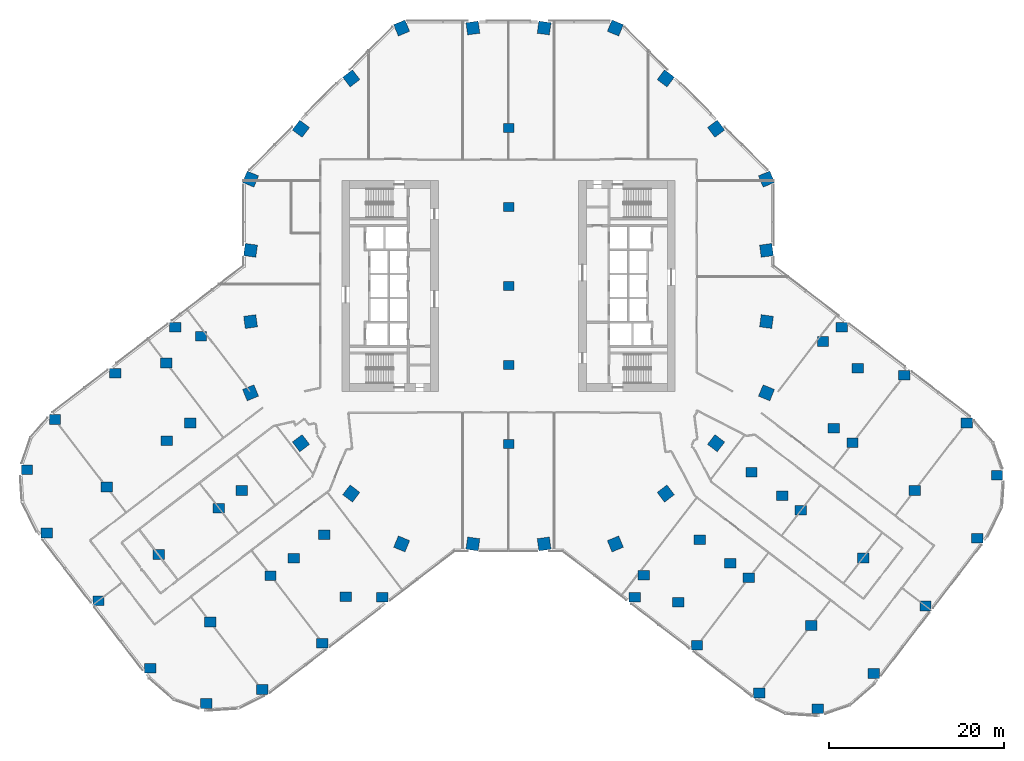
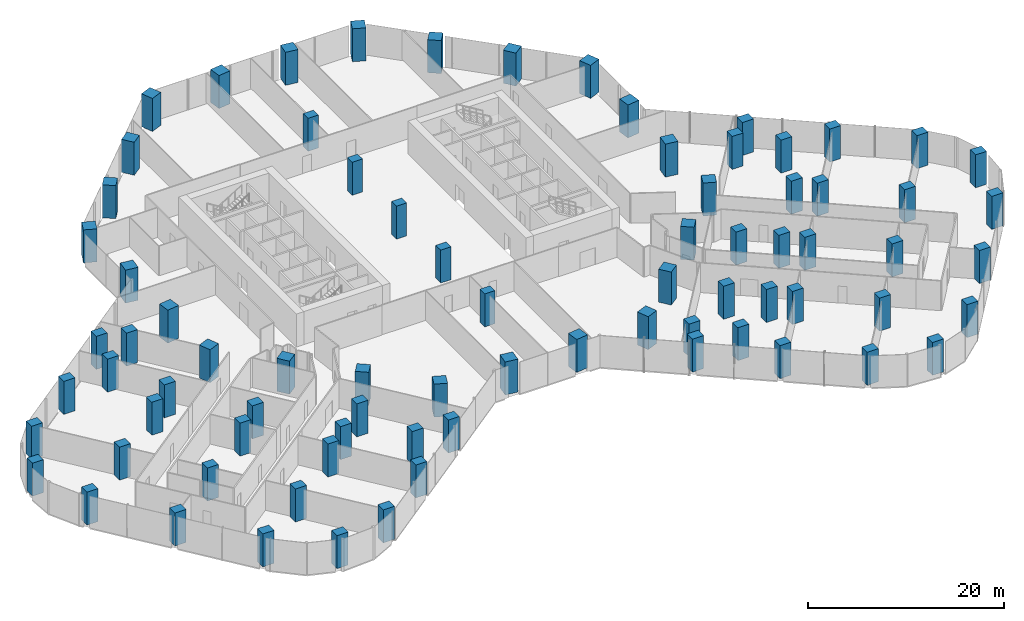
# One storey, part 1 of 29: 79 columns.
"""IFC4 building model written with IfcOpenShell, lengths in metres."""

from ifc_helpers import new_model, si_unit, direction, frame, origin, origin_2d, place, context, subcontext, project, spatial, rectangle, extrude, material, material_profile, profile_set, type_object, element, save


model = new_model("IFC4")

# Units and contexts
model_context = context("Model", 3, precision=1e-05, world=origin(), true_north=direction((0.0, 1.0)))
body_context = subcontext(model_context, "Body", "Model", "MODEL_VIEW")
ifc_project = project(units=[si_unit("LENGTHUNIT", "METRE"), si_unit("AREAUNIT", "SQUARE_METRE"), si_unit("VOLUMEUNIT", "CUBIC_METRE"), si_unit("PLANEANGLEUNIT", "RADIAN"), si_unit("MASSUNIT", "GRAM", prefix="KILO")], contexts=[model_context])

# Site, building, storey
site_placement = place(None, origin())
site = spatial("IfcSite", under=ifc_project, at=site_placement, CompositionType="ELEMENT")
building_placement = place(site_placement, origin())
building = spatial("IfcBuilding", under=site, at=building_placement, Name="Orlundy Tower", CompositionType="ELEMENT")
storey_placement = place(building_placement, frame((0.0, 0.0, 25.10009765625)))
storey = spatial("IfcBuildingStorey", under=building, at=storey_placement, Name="L04", CompositionType="ELEMENT", Elevation=25.10009765625)

# Columns
ifc_material_1 = material(Name="Concrete C80/95", Category="concrete")
ifc_material_profile_1 = material_profile(ifc_material_1, rectangle(XDim=1.199951171875, YDim=1.0, at=origin_2d()), Name="RC1200X1000")
ifc_profile_set_1 = profile_set([ifc_material_profile_1], Name="Concrete C80/95")
column_type_1 = type_object("IfcColumnType", Name="RC COLUMN RC1200X1000 C80/95", PredefinedType="COLUMN", material=ifc_profile_set_1)
for number, where, z_axis, x_axis, name in (
    (1, (0.0, -18.0, 0.0), (0.0, 0.0, 1.0), (1.0, 0.0, 0.0), "Column C-M1 L04"),
    (2, (0.0, -9.0, 0.0), (0.0, 0.0, 1.0), (1.0, 0.0, 0.0), "Column C-M2 L04"),
    (3, (0.0, 0.0, 0.0), (0.0, 0.0, 1.0), (1.0, 0.0, 0.0), "Column C-M3 L04"),
    (4, (0.0, 9.0, 0.0), (0.0, 0.0, 1.0), (1.0, 0.0, 0.0), "Column C-M4 L04"),
    (5, (0.0, 18.0, 0.0), (0.0, 0.0, 1.0), (1.0, 0.0, 0.0), "Column C-M5 L04"),
):
    element("IfcColumn", number, at=place(storey_placement, frame(where, z_axis=z_axis, x_axis=x_axis)), inside=storey, type_object=column_type_1, Name=name, PredefinedType="COLUMN", context=body_context, shape_type="SweptSolid", body=[
        extrude(rectangle(XDim=1.199951171875, YDim=1.0, at=origin_2d()), origin(), (0.0, 0.0, 1.0), 4.099853515625),
    ])
ifc_material_2 = material(Name="Concrete C80/95", Category="concrete")
ifc_material_profile_2 = material_profile(ifc_material_2, rectangle(XDim=1.300048828125, YDim=1.10009765625, at=origin_2d()), Name="RC1300X1100")
ifc_profile_set_2 = profile_set([ifc_material_profile_2], Name="Concrete C80/95")
column_type_2 = type_object("IfcColumnType", Name="RC COLUMN RC1300X1100 C80/95", PredefinedType="COLUMN", material=ifc_profile_set_2)
for number, where, z_axis, x_axis, name in (
    (6, (14.37109375, -35.47998046875, 0.0), (0.0, 0.0, 1.0), (1.0, 0.0, 0.0), "Column C-A1-1 L04"),
    (7, (21.48388671875, -40.93896484375, 0.0), (0.0, 0.0, 1.0), (1.0, 0.0, 0.0), "Column C-A1-2 L04"),
    (8, (28.597900390625, -46.39697265625, 0.0), (0.0, 0.0, 1.0), (1.0, 0.0, 0.0), "Column C-A1-3 L04"),
    (9, (35.23095703125, -48.200927734375, 0.0), (0.0, 0.0, 1.0), (1.0, 0.0, 0.0), "Column C-A1-5 L04"),
    (10, (19.364013671875, -36.02587890625, 0.0), (0.0, 0.0, 1.0), (1.0, 0.0, 0.0), "Column C-A1-6 L04"),
    (11, (15.39697265625, -32.98193359375, 0.0), (0.0, 0.0, 1.0), (1.0, 0.0, 0.0), "Column C-A1-7 L04"),
    (12, (27.388916015625, -33.242919921875, 0.0), (0.0, 0.0, 1.0), (1.0, 0.0, 0.0), "Column C-A2-2 L04"),
    (13, (34.5029296875, -38.701904296875, 0.0), (0.0, 0.0, 1.0), (1.0, 0.0, 0.0), "Column C-A2-3 L04"),
    (14, (41.616943359375, -44.159912109375, 0.0), (0.0, 0.0, 1.0), (1.0, 0.0, 0.0), "Column C-A2-5 L04"),
    (15, (25.27392578125, -31.6201171875, 0.0), (0.0, 0.0, 1.0), (1.0, 0.0, 0.0), "Column C-A2-6 L04"),
    (16, (21.782958984375, -28.94091796875, 0.0), (0.0, 0.0, 1.0), (1.0, 0.0, 0.0), "Column C-A2-7 L04"),
    (17, (33.2939453125, -25.548095703125, 0.0), (0.0, 0.0, 1.0), (1.0, 0.0, 0.0), "Column C-A3-2 L04"),
    (18, (40.407958984375, -31.006103515625, 0.0), (0.0, 0.0, 1.0), (1.0, 0.0, 0.0), "Column C-A3-3 L04"),
    (19, (47.52197265625, -36.465087890625, 0.0), (0.0, 0.0, 1.0), (1.0, 0.0, 0.0), "Column C-A3-5 L04"),
    (20, (31.178955078125, -23.924072265625, 0.0), (0.0, 0.0, 1.0), (1.0, 0.0, 0.0), "Column C-A3-6 L04"),
    (21, (27.68798828125, -21.24609375, 0.0), (0.0, 0.0, 1.0), (1.0, 0.0, 0.0), "Column C-A3-7 L04"),
    (22, (39.198974609375, -17.85205078125, 0.0), (0.0, 0.0, 1.0), (1.0, 0.0, 0.0), "Column C-A4-2 L04"),
    (23, (46.31298828125, -23.31103515625, 0.0), (0.0, 0.0, 1.0), (1.0, 0.0, 0.0), "Column C-A4-3 L04"),
    (24, (53.427001953125, -28.76904296875, 0.0), (0.0, 0.0, 1.0), (1.0, 0.0, 0.0), "Column C-A4-5 L04"),
    (25, (37.083984375, -16.22900390625, 0.0), (0.0, 0.0, 1.0), (1.0, 0.0, 0.0), "Column C-A4-6 L04"),
    (26, (37.990966796875, -4.697998046875, 0.0), (0.0, 0.0, 1.0), (1.0, 0.0, 0.0), "Column C-A5-1 L04"),
    (27, (45.10400390625, -10.156982421875, 0.0), (0.0, 0.0, 1.0), (1.0, 0.0, 0.0), "Column C-A5-2 L04"),
    (28, (52.218017578125, -15.614990234375, 0.0), (0.0, 0.0, 1.0), (1.0, 0.0, 0.0), "Column C-A5-3 L04"),
    (29, (55.677001953125, -21.554931640625, 0.0), (0.0, 0.0, 1.0), (1.0, 0.0, 0.0), "Column C-A5-5 L04"),
    (30, (39.81005859375, -9.3798828125, 0.0), (0.0, 0.0, 1.0), (1.0, 0.0, 0.0), "Column C-A5-6 L04"),
    (31, (35.843017578125, -6.3359375, 0.0), (0.0, 0.0, 1.0), (1.0, 0.0, 0.0), "Column C-A5-7 L04"),
    (32, (-37.990966796875, -4.697998046875, 0.0), (0.0, 0.0, 1.0), (1.0, 0.0, 0.0), "Column C-B1-1 L04"),
    (33, (-44.840087890625, -9.9541015625, 0.0), (0.0, 0.0, 1.0), (1.0, 0.0, 0.0), "Column C-B1-2 L04"),
    (34, (-51.68701171875, -15.2119140625, 0.0), (0.0, 0.0, 1.0), (1.0, 0.0, 0.0), "Column C-B1-3 L04"),
    (35, (-54.884033203125, -20.946044921875, 0.0), (0.0, 0.0, 1.0), (1.0, 0.0, 0.0), "Column C-B1-5 L04"),
    (36, (-39.01611328125, -8.77099609375, 0.0), (0.0, 0.0, 1.0), (1.0, 0.0, 0.0), "Column C-B1-6 L04"),
    (37, (-35.050048828125, -5.72705078125, 0.0), (0.0, 0.0, 1.0), (1.0, 0.0, 0.0), "Column C-B1-7 L04"),
    (38, (-38.93505859375, -17.64892578125, 0.0), (0.0, 0.0, 1.0), (1.0, 0.0, 0.0), "Column C-B2-2 L04"),
    (39, (-45.783935546875, -22.905029296875, 0.0), (0.0, 0.0, 1.0), (1.0, 0.0, 0.0), "Column C-B2-3 L04"),
    (40, (-52.633056640625, -28.160888671875, 0.0), (0.0, 0.0, 1.0), (1.0, 0.0, 0.0), "Column C-B2-5 L04"),
    (41, (-36.2900390625, -15.6201171875, 0.0), (0.0, 0.0, 1.0), (1.0, 0.0, 0.0), "Column C-B2-6 L04"),
    (42, (-33.030029296875, -25.344970703125, 0.0), (0.0, 0.0, 1.0), (1.0, 0.0, 0.0), "Column C-B3-2 L04"),
    (43, (-39.87890625, -30.60009765625, 0.0), (0.0, 0.0, 1.0), (1.0, 0.0, 0.0), "Column C-B3-3 L04"),
    (44, (-46.72900390625, -35.85595703125, 0.0), (0.0, 0.0, 1.0), (1.0, 0.0, 0.0), "Column C-B3-5 L04"),
    (45, (-30.385009765625, -23.31591796875, 0.0), (0.0, 0.0, 1.0), (1.0, 0.0, 0.0), "Column C-B3-6 L04"),
    (46, (-27.125, -33.0400390625, 0.0), (0.0, 0.0, 1.0), (1.0, 0.0, 0.0), "Column C-B4-2 L04"),
    (47, (-33.97412109375, -38.2958984375, 0.0), (0.0, 0.0, 1.0), (1.0, 0.0, 0.0), "Column C-B4-3 L04"),
    (48, (-40.823974609375, -43.552001953125, 0.0), (0.0, 0.0, 1.0), (1.0, 0.0, 0.0), "Column C-B4-5 L04"),
    (49, (-24.47998046875, -31.010986328125, 0.0), (0.0, 0.0, 1.0), (1.0, 0.0, 0.0), "Column C-B4-6 L04"),
    (50, (-20.989990234375, -28.3330078125, 0.0), (0.0, 0.0, 1.0), (1.0, 0.0, 0.0), "Column C-B4-7 L04"),
    (51, (-14.37109375, -35.47998046875, 0.0), (0.0, 0.0, 1.0), (1.0, 0.0, 0.0), "Column C-B5-1 L04"),
    (52, (-21.219970703125, -40.736083984375, 0.0), (0.0, 0.0, 1.0), (1.0, 0.0, 0.0), "Column C-B5-2 L04"),
    (53, (-28.072021484375, -45.988037109375, 0.0), (0.0, 0.0, 1.0), (1.0, 0.0, 0.0), "Column C-B5-3 L04"),
    (54, (-34.43701171875, -47.592041015625, 0.0), (0.0, 0.0, 1.0), (1.0, 0.0, 0.0), "Column C-B5-5 L04"),
    (55, (-18.570068359375, -35.4169921875, 0.0), (0.0, 0.0, 1.0), (1.0, 0.0, 0.0), "Column C-B5-6 L04"),
):
    element("IfcColumn", number, at=place(storey_placement, frame(where, z_axis=z_axis, x_axis=x_axis)), inside=storey, type_object=column_type_2, Name=name, PredefinedType="COLUMN", context=body_context, shape_type="SweptSolid", body=[
        extrude(rectangle(XDim=1.300048828125, YDim=1.10009765625, at=origin_2d()), origin(), (0.0, 0.0, 1.0), 4.099853515625),
    ])
ifc_material_3 = material(Name="Concrete C80/95", Category="concrete")
ifc_material_profile_3 = material_profile(ifc_material_3, rectangle(XDim=1.39990234375, YDim=1.39990234375, at=origin_2d()), Name="RC1400X1400")
ifc_profile_set_3 = profile_set([ifc_material_profile_3], Name="Concrete C80/95")
column_type_3 = type_object("IfcColumnType", Name="RC COLUMN RC1400X1400 C80/95", PredefinedType="COLUMN", material=ifc_profile_set_3)
for number, where, z_axis, x_axis, name in (
    (56, (29.39990234375, 12.177978515625, 0.0), (0.0, 0.0, 1.0), (0.923879532511, 0.382683432365, 0.0), "Column C-H01 L04"),
    (57, (29.39990234375, 4.05908203125, 0.0), (0.0, 0.0, 1.0), (0.990602789303, 0.136770295844, 0.0), "Column C-H02 L04"),
    (58, (29.39990234375, -4.05908203125, 0.0), (0.0, 0.0, 1.0), (0.990602789303, -0.136770295844, 0.0), "Column C-H03 L04"),
    (59, (29.39990234375, -12.177978515625, 0.0), (0.0, 0.0, 1.0), (0.923879532511, -0.382683432365, 0.0), "Column C-H04 L04"),
    (60, (23.658935546875, -17.9189453125, 0.0), (0.0, 0.0, 1.0), (0.797162615875, -0.603764659327, 0.0), "Column C-H05 L04"),
    (61, (17.9189453125, -23.658935546875, 0.0), (0.0, 0.0, 1.0), (0.603764659327, -0.797162615875, 0.0), "Column C-H06 L04"),
    (62, (12.177978515625, -29.39990234375, 0.0), (0.0, 0.0, 1.0), (0.382683432365, -0.923879532511, 0.0), "Column C-H07 L04"),
    (63, (4.05908203125, -29.39990234375, 0.0), (0.0, 0.0, 1.0), (0.136770295844, -0.990602789303, 0.0), "Column C-H08 L04"),
    (64, (-4.05908203125, -29.39990234375, 0.0), (0.0, 0.0, 1.0), (-0.136770295844, -0.990602789303, 0.0), "Column C-H09 L04"),
    (65, (-12.177978515625, -29.39990234375, 0.0), (0.0, 0.0, 1.0), (-0.382683432365, -0.923879532511, 0.0), "Column C-H10 L04"),
    (66, (-17.9189453125, -23.658935546875, 0.0), (0.0, 0.0, 1.0), (-0.603764659327, -0.797162615875, 0.0), "Column C-H11 L04"),
    (67, (-23.658935546875, -17.9189453125, 0.0), (0.0, 0.0, 1.0), (-0.797162615875, -0.603764659327, 0.0), "Column C-H12 L04"),
    (68, (-29.39990234375, -12.177978515625, 0.0), (0.0, 0.0, 1.0), (-0.923879532511, -0.382683432365, 0.0), "Column C-H13 L04"),
    (69, (-29.39990234375, -4.05908203125, 0.0), (0.0, 0.0, 1.0), (-0.990602789303, -0.136770295844, 0.0), "Column C-H14 L04"),
    (70, (-29.39990234375, 4.05908203125, 0.0), (0.0, 0.0, 1.0), (-0.990602789303, 0.136770295844, 0.0), "Column C-H15 L04"),
    (71, (-29.39990234375, 12.177978515625, 0.0), (0.0, 0.0, 1.0), (-0.923879532511, 0.382683432365, 0.0), "Column C-H16 L04"),
    (72, (-23.658935546875, 17.9189453125, 0.0), (0.0, 0.0, 1.0), (-0.797162615875, 0.603764659327, 0.0), "Column C-H17 L04"),
    (73, (-17.9189453125, 23.658935546875, 0.0), (0.0, 0.0, 1.0), (-0.603764659327, 0.797162615875, 0.0), "Column C-H18 L04"),
    (74, (-12.177978515625, 29.39990234375, 0.0), (0.0, 0.0, 1.0), (-0.382683432365, 0.923879532511, 0.0), "Column C-H19 L04"),
    (75, (-4.05908203125, 29.39990234375, 0.0), (0.0, 0.0, 1.0), (-0.136770295844, 0.990602789303, 0.0), "Column C-H20 L04"),
    (76, (4.05908203125, 29.39990234375, 0.0), (0.0, 0.0, 1.0), (0.136770295844, 0.990602789303, 0.0), "Column C-H21 L04"),
    (77, (12.177978515625, 29.39990234375, 0.0), (0.0, 0.0, 1.0), (0.382683432365, 0.923879532511, 0.0), "Column C-H22 L04"),
    (78, (17.9189453125, 23.658935546875, 0.0), (0.0, 0.0, 1.0), (0.603764659327, 0.797162615875, 0.0), "Column C-H23 L04"),
    (79, (23.658935546875, 17.9189453125, 0.0), (0.0, 0.0, 1.0), (0.797162615875, 0.603764659327, 0.0), "Column C-H24 L04"),
):
    element("IfcColumn", number, at=place(storey_placement, frame(where, z_axis=z_axis, x_axis=x_axis)), inside=storey, type_object=column_type_3, Name=name, PredefinedType="COLUMN", context=body_context, shape_type="SweptSolid", body=[
        extrude(rectangle(XDim=1.39990234375, YDim=1.39990234375, at=origin_2d()), origin(), (0.0, 0.0, 1.0), 4.099853515625),
    ])

save(model, "model.ifc")
